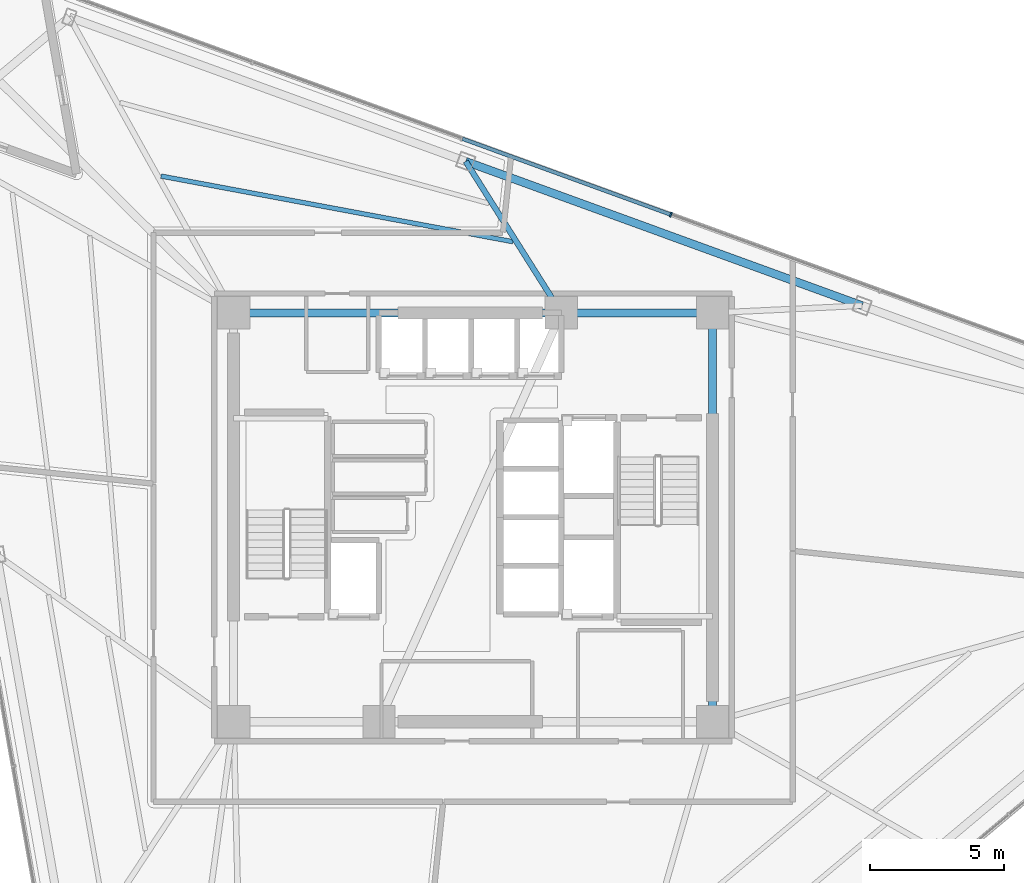
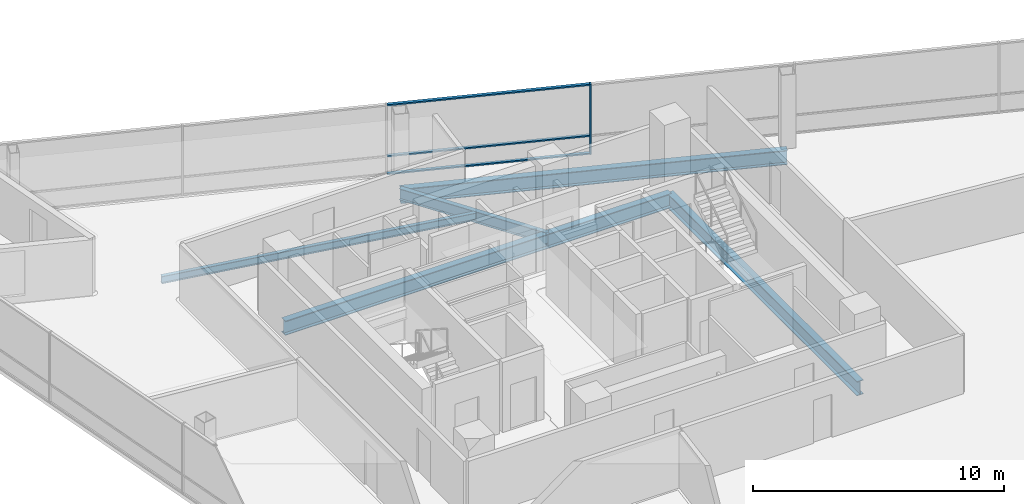
# One storey, part 6 of 17: 6 beams, 4 members, 1 element without a shape of its own.
"""IFC4 building model written with IfcOpenShell, lengths in metres."""

from ifc_helpers import new_model, si_unit, direction, frame, origin, origin_2d, place, context, subcontext, project, spatial, rectangle, i_section, extrude, material, layer, layer_set, material_profile, profile_set, type_object, element, aggregate, save


model = new_model("IFC4")

# Units and contexts
model_context = context("Model", 3, precision=1e-05, world=origin(), true_north=direction((0.0, 1.0)))
body_context = subcontext(model_context, "Body", "Model", "MODEL_VIEW")
ifc_project = project(units=[si_unit("LENGTHUNIT", "METRE"), si_unit("AREAUNIT", "SQUARE_METRE"), si_unit("VOLUMEUNIT", "CUBIC_METRE"), si_unit("PLANEANGLEUNIT", "RADIAN"), si_unit("MASSUNIT", "GRAM", prefix="KILO")], contexts=[model_context])

# Site, building, storey
site_placement = place(None, origin())
site = spatial("IfcSite", under=ifc_project, at=site_placement, CompositionType="ELEMENT")
building_placement = place(site_placement, origin())
building = spatial("IfcBuilding", under=site, at=building_placement, Name="Tharavind Bronze Gate", CompositionType="ELEMENT")
storey_placement = place(building_placement, frame((0.0, 0.0, 184.89990234375)))
storey = spatial("IfcBuildingStorey", under=building, at=storey_placement, Name="L47", CompositionType="ELEMENT", Elevation=184.89990234375)

# Curtain wall, members
ifc_material_1 = material(Name="Anodised Bronze Aluminium", Category="aluminium")
ifc_layer = layer(ifc_material_1, 0.219970703125)
ifc_layer_set = layer_set([ifc_layer], Name="Anodised Bronze Aluminium")
curtain_wall_type = type_object("IfcCurtainWallType", Name="UNITISED CURTAIN WALL MID OFFICE", PredefinedType="USERDEFINED", material=ifc_layer_set)
curtain_wall_placement = place(storey_placement, origin())
curtain_wall = element("IfcCurtainWall", 1, at=curtain_wall_placement, inside=storey, type_object=curtain_wall_type, Name="L47 unitised curtain wall mid office CW-L47-S3", ObjectType="UNITISED CURTAIN WALL", PredefinedType="USERDEFINED")
member_type_1 = type_object("IfcMemberType", Name="CURTAIN WALL BRONZE MULLION 65X180", PredefinedType="MULLION", material=ifc_material_1)
member_1_placement = place(storey_placement, frame((7.35009765625, 11.25439453125, 0.000244140625), z_axis=(0.0, 0.0, 1.0), x_axis=(-0.939692023847, 0.342021783398, 0.0)))
member_1 = element("IfcMember", 2, at=member_1_placement, type_object=member_type_1, Name="CW-L47-S3 mullion 4", PredefinedType="MULLION", context=body_context, shape_type="SweptSolid", body=[
    extrude(rectangle(XDim=0.06494140625, YDim=0.179931640625, at=origin_2d()), origin(), (0.0, 0.0, 1.0), 3.419921875),
])
member_type_2 = type_object("IfcMemberType", Name="CURTAIN WALL BRONZE TRANSOM 65X140", PredefinedType="USERDEFINED", material=ifc_material_1)
member_2_placement = place(storey_placement, frame((3.462890625, 12.669189453125, 0.000244140625), z_axis=(0.0, 0.0, 1.0), x_axis=(-0.939692023847, 0.342021783398, 0.0)))
member_2 = element("IfcMember", 3, at=member_2_placement, type_object=member_type_2, Name="CW-L47-S3 transom TB4", ObjectType="TRANSOM", PredefinedType="USERDEFINED", context=body_context, shape_type="SweptSolid", body=[
    extrude(rectangle(XDim=8.220458984375, YDim=0.139892578125, at=origin_2d()), origin(), (0.0, 0.0, 1.0), 0.06494140625),
])
member_3_placement = place(storey_placement, frame((3.462890625, 12.669189453125, 0.86767578125), z_axis=(0.0, 0.0, 1.0), x_axis=(-0.939692023847, 0.342021783398, 0.0)))
member_3 = element("IfcMember", 4, at=member_3_placement, type_object=member_type_2, Name="CW-L47-S3 transom TS4", ObjectType="TRANSOM", PredefinedType="USERDEFINED", context=body_context, shape_type="SweptSolid", body=[
    extrude(rectangle(XDim=8.220458984375, YDim=0.139892578125, at=origin_2d()), origin(), (0.0, 0.0, 1.0), 0.06494140625),
])
member_4_placement = place(storey_placement, frame((3.462890625, 12.669189453125, 3.355224609375), z_axis=(0.0, 0.0, 1.0), x_axis=(-0.939692023847, 0.342021783398, 0.0)))
member_4 = element("IfcMember", 5, at=member_4_placement, type_object=member_type_2, Name="CW-L47-S3 transom TT4", ObjectType="TRANSOM", PredefinedType="USERDEFINED", context=body_context, shape_type="SweptSolid", body=[
    extrude(rectangle(XDim=8.220458984375, YDim=0.139892578125, at=origin_2d()), origin(), (0.0, 0.0, 1.0), 0.06494140625),
])
aggregate(curtain_wall, [member_1, member_2, member_3, member_4])

# Beams
ifc_material_2 = material(Name="Steel S355", Category="steel")
ifc_material_profile_1 = material_profile(ifc_material_2, i_section(OverallWidth=0.2099609375, OverallDepth=0.550048828125, WebThickness=0.010986328125, FlangeThickness=0.01708984375, at=origin_2d()), Name="IPE550")
ifc_profile_set_1 = profile_set([ifc_material_profile_1], Name="Steel S355")
beam_type_1 = type_object("IfcBeamType", Name="PRIMARY GIRDER IPE550", PredefinedType="USERDEFINED", material=ifc_profile_set_1)
beam_1_placement = place(storey_placement, frame((-0.27392578125, 13.231201171875, -0.454833984375), z_axis=(0.53372121288, -0.845660491522, 0.0), x_axis=(0.845660491522, 0.53372121288, 0.0)))
element("IfcBeam", 6, at=beam_1_placement, inside=storey, type_object=beam_type_1, Name="L47 primary girder ipe550 BM-L47-RAD11", ObjectType="GIRDER", PredefinedType="USERDEFINED", context=body_context, shape_type="SweptSolid", body=[
    extrude(i_section(OverallWidth=0.2099609375, OverallDepth=0.550048828125, WebThickness=0.010986328125, FlangeThickness=0.01708984375, at=origin_2d()), origin(), (0.0, 0.0, 1.0), 6.658935546875),
])
ifc_material_profile_2 = material_profile(ifc_material_2, i_section(OverallWidth=0.300048828125, OverallDepth=0.699951171875, WebThickness=0.01708984375, FlangeThickness=0.031982421875, at=origin_2d()), Name="HE700B")
ifc_profile_set_2 = profile_set([ifc_material_profile_2], Name="Steel S355")
beam_type_2 = type_object("IfcBeamType", Name="RING GIRDER HE700B", PredefinedType="USERDEFINED", material=ifc_profile_set_2)
beam_2_placement = place(storey_placement, frame((8.89990234375, -7.60009765625, -0.52978515625), z_axis=(0.0, 1.0, 0.0), x_axis=(-1.0, 0.0, 0.0)))
element("IfcBeam", 7, at=beam_2_placement, inside=storey, type_object=beam_type_2, Name="L47 ring girder he700b BM-L47-CR3", ObjectType="GIRDER", PredefinedType="USERDEFINED", context=body_context, shape_type="SweptSolid", body=[
    extrude(i_section(OverallWidth=0.300048828125, OverallDepth=0.699951171875, WebThickness=0.01708984375, FlangeThickness=0.031982421875, at=origin_2d()), origin(), (0.0, 0.0, 1.0), 15.2001953125),
])
beam_3_placement = place(storey_placement, frame((8.89990234375, 7.60009765625, -0.52978515625), z_axis=(-1.0, 0.0, 0.0), x_axis=(0.0, -1.0, 0.0)))
element("IfcBeam", 8, at=beam_3_placement, inside=storey, type_object=beam_type_2, Name="L47 ring girder he700b BM-L47-CR4", ObjectType="GIRDER", PredefinedType="USERDEFINED", context=body_context, shape_type="SweptSolid", body=[
    extrude(i_section(OverallWidth=0.300048828125, OverallDepth=0.699951171875, WebThickness=0.01708984375, FlangeThickness=0.031982421875, at=origin_2d()), origin(), (0.0, 0.0, 1.0), 5.619873046875),
])
beam_4_placement = place(storey_placement, frame((3.280029296875, 7.60009765625, -0.52978515625), z_axis=(-1.0, 0.0, 0.0), x_axis=(0.0, -1.0, 0.0)))
element("IfcBeam", 9, at=beam_4_placement, inside=storey, type_object=beam_type_2, Name="L47 ring girder he700b BM-L47-CR5", ObjectType="GIRDER", PredefinedType="USERDEFINED", context=body_context, shape_type="SweptSolid", body=[
    extrude(i_section(OverallWidth=0.300048828125, OverallDepth=0.699951171875, WebThickness=0.01708984375, FlangeThickness=0.031982421875, at=origin_2d()), origin(), (0.0, 0.0, 1.0), 12.179931640625),
])
beam_5_placement = place(storey_placement, frame((14.461181640625, 7.867919921875, -0.52978515625), z_axis=(-0.939689735949, 0.342028069246, 0.0), x_axis=(-0.342028069246, -0.939689735949, 0.0)))
element("IfcBeam", 10, at=beam_5_placement, inside=storey, type_object=beam_type_2, Name="L47 ring girder he700b BM-L47-PRG10", ObjectType="GIRDER", PredefinedType="USERDEFINED", context=body_context, shape_type="SweptSolid", body=[
    extrude(i_section(OverallWidth=0.300048828125, OverallDepth=0.699951171875, WebThickness=0.01708984375, FlangeThickness=0.031982421875, at=origin_2d()), origin(), (0.0, 0.0, 1.0), 15.680908203125),
])
ifc_material_profile_3 = material_profile(ifc_material_2, i_section(OverallWidth=0.169921875, OverallDepth=0.360107421875, WebThickness=0.008056640625, FlangeThickness=0.0126953125, at=origin_2d()), Name="IPE360")
ifc_profile_set_3 = profile_set([ifc_material_profile_3], Name="Steel S355")
beam_type_3 = type_object("IfcBeamType", Name="SECONDARY FLOOR JOIST IPE360", PredefinedType="JOIST", material=ifc_profile_set_3)
beam_6_placement = place(storey_placement, frame((1.48291015625, 10.245361328125, -0.35986328125), z_axis=(-0.98304057782, 0.183388173989, 0.0), x_axis=(-0.183388173989, -0.98304057782, 0.0)))
element("IfcBeam", 11, at=beam_6_placement, inside=storey, type_object=beam_type_3, Name="L47 secondary floor joist ipe360 BM-L47-JSTA11", PredefinedType="JOIST", context=body_context, shape_type="SweptSolid", body=[
    extrude(i_section(OverallWidth=0.169921875, OverallDepth=0.360107421875, WebThickness=0.008056640625, FlangeThickness=0.0126953125, at=origin_2d()), origin(), (0.0, 0.0, 1.0), 13.3115234375),
])

save(model, "model.ifc")
